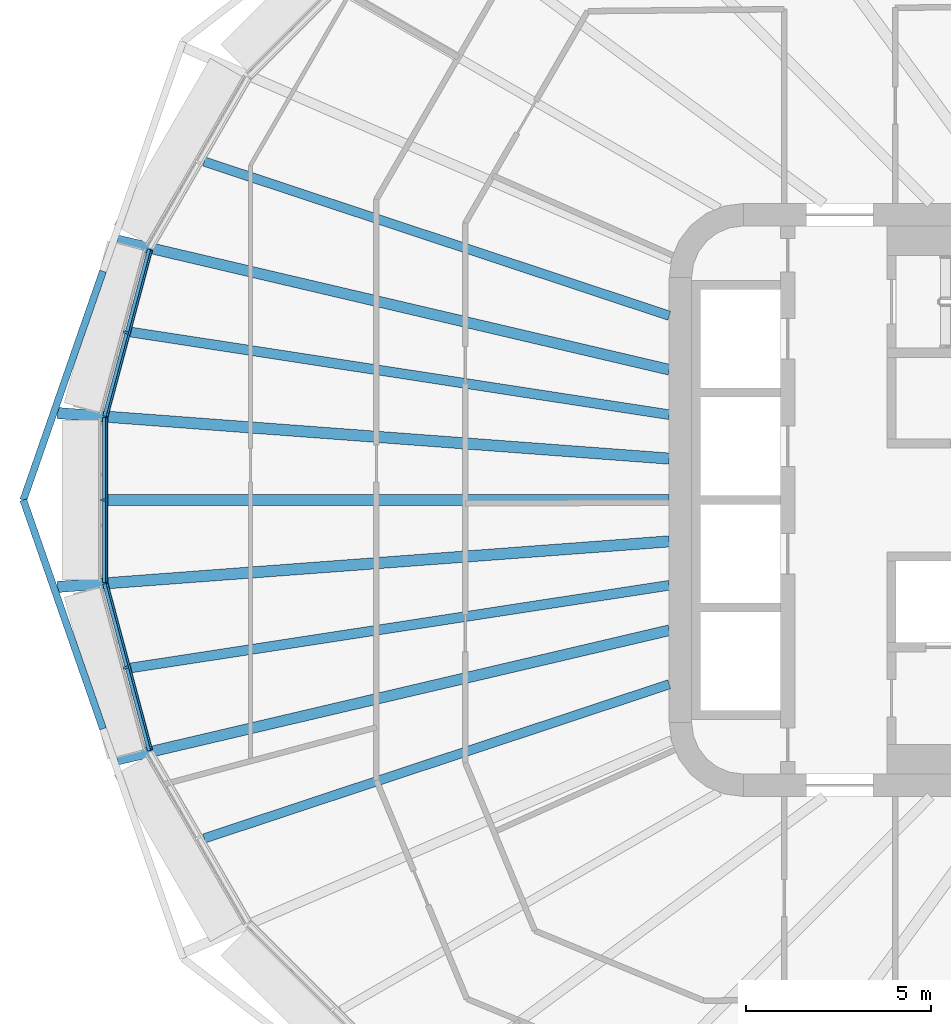
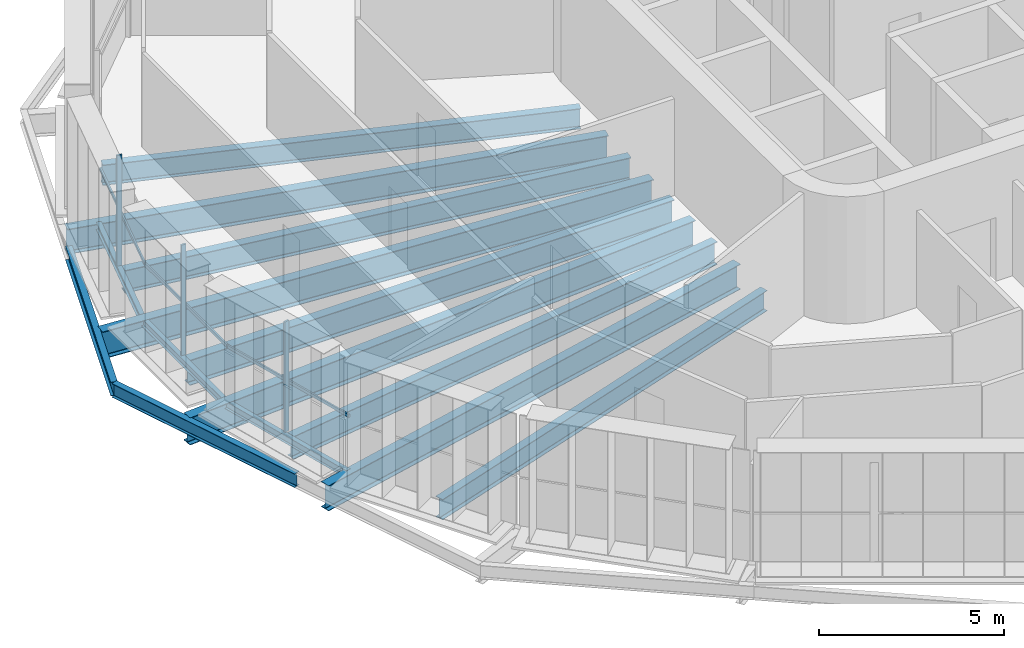
# One storey, part 3 of 22: 14 beams, 6 members, 3 elements without a shape of their own.
"""IFC4 building model written with IfcOpenShell, lengths in metres."""

from ifc_helpers import new_model, si_unit, direction, frame, origin, origin_2d, place, context, subcontext, project, spatial, rectangle, i_section, extrude, material, layer, layer_set, material_profile, profile_set, type_object, element, aggregate, save


model = new_model("IFC4")

# Units and contexts
model_context = context("Model", 3, precision=1e-05, world=origin(), true_north=direction((0.0, 1.0)))
body_context = subcontext(model_context, "Body", "Model", "MODEL_VIEW")
ifc_project = project(units=[si_unit("LENGTHUNIT", "METRE"), si_unit("AREAUNIT", "SQUARE_METRE"), si_unit("VOLUMEUNIT", "CUBIC_METRE"), si_unit("PLANEANGLEUNIT", "RADIAN"), si_unit("MASSUNIT", "GRAM", prefix="KILO")], contexts=[model_context])

# Site, building, storey
site_placement = place(None, origin())
site = spatial("IfcSite", under=ifc_project, at=site_placement, CompositionType="ELEMENT")
building_placement = place(site_placement, origin())
building = spatial("IfcBuilding", under=site, at=building_placement, Name="Sahrelin Media Tower", CompositionType="ELEMENT")
storey_placement = place(building_placement, frame((0.0, 0.0, 50.39990234375)))
storey = spatial("IfcBuildingStorey", under=building, at=storey_placement, Name="L07", CompositionType="ELEMENT", Elevation=50.39990234375)

# Beams
ifc_material_1 = material(Name="Steel S355", Category="steel")
ifc_material_profile_1 = material_profile(ifc_material_1, i_section(OverallWidth=0.14599609375, OverallDepth=0.25146484375, WebThickness=0.006103515625, FlangeThickness=0.008544921875, FilletRadius=0.007568359375, at=origin_2d()), Name="UB 254x146x31")
ifc_profile_set_1 = profile_set([ifc_material_profile_1], Name="Steel S355")
beam_type_1 = type_object("IfcBeamType", Name="Edge beam EB1", PredefinedType="BEAM", material=ifc_profile_set_1)
beam_1_placement = place(storey_placement, frame((-29.007080078125, -6.7587890625, -0.275634765625), z_axis=(-0.258754408816, 0.965943143212, 0.0), x_axis=(-0.965943143212, -0.258754408816, 0.0)))
element("IfcBeam", 1, at=beam_1_placement, inside=storey, type_object=beam_type_1, Name="Edge beam L07-12", PredefinedType="BEAM", context=body_context, shape_type="SweptSolid", body=[
    extrude(i_section(OverallWidth=0.14599609375, OverallDepth=0.25146484375, WebThickness=0.006103515625, FlangeThickness=0.008544921875, FilletRadius=0.007568359375, at=origin_2d()), origin(), (0.0, 0.0, 1.0), 4.661865234375),
])
beam_2_placement = place(storey_placement, frame((-30.21728515625, -2.226806640625, -0.275634765625), z_axis=(0.0, 1.0, 0.0), x_axis=(-1.0, 0.0, 0.0)))
element("IfcBeam", 2, at=beam_2_placement, inside=storey, type_object=beam_type_1, Name="Edge beam L07-13", PredefinedType="BEAM", context=body_context, shape_type="SweptSolid", body=[
    extrude(i_section(OverallWidth=0.14599609375, OverallDepth=0.25146484375, WebThickness=0.006103515625, FlangeThickness=0.008544921875, FilletRadius=0.007568359375, at=origin_2d()), origin(), (0.0, 0.0, 1.0), 4.45361328125),
])
beam_3_placement = place(storey_placement, frame((-30.21337890625, 2.255615234375, -0.275634765625), z_axis=(0.258754408816, 0.965943143212, 0.0), x_axis=(-0.965943143212, 0.258754408816, 0.0)))
element("IfcBeam", 3, at=beam_3_placement, inside=storey, type_object=beam_type_1, Name="Edge beam L07-14", PredefinedType="BEAM", context=body_context, shape_type="SweptSolid", body=[
    extrude(i_section(OverallWidth=0.14599609375, OverallDepth=0.25146484375, WebThickness=0.006103515625, FlangeThickness=0.008544921875, FilletRadius=0.007568359375, at=origin_2d()), origin(), (0.0, 0.0, 1.0), 4.661865234375),
])

# Curtain wall, member
ifc_material_2 = material(Name="Champagne anodised aluminium 6063-T6", Category="aluminium")
ifc_layer = layer(ifc_material_2, 0.14990234375)
ifc_layer_set = layer_set([ifc_layer], Name="Tower ribbon curtain wall")
curtain_wall_type = type_object("IfcCurtainWallType", Name="Tower ribbon curtain wall", PredefinedType="NOTDEFINED", material=ifc_layer_set)
curtain_wall_1_placement = place(storey_placement, frame((-29.755126953125, 4.5458984375, 0.0), z_axis=(0.0, 0.0, 1.0), x_axis=(1.0, 0.0, 0.0)))
curtain_wall_1 = element("IfcCurtainWall", 4, at=curtain_wall_1_placement, inside=storey, type_object=curtain_wall_type, Name="L07:CW:L07-11", PredefinedType="NOTDEFINED")
ifc_material_profile_2 = material_profile(ifc_material_2, rectangle(XDim=0.06005859375, YDim=0.14990234375, at=origin_2d()), Name="Mullion 60x150")
ifc_profile_set_2 = profile_set([ifc_material_profile_2], Name="Champagne anodised aluminium 6063-T6")
member_type_1 = type_object("IfcMemberType", Name="Mullion 60x150 CW1", PredefinedType="MULLION", material=ifc_profile_set_2)
member_1_placement = place(storey_placement, frame((-29.663330078125, 4.521240234375, 0.0), z_axis=(0.0, 0.0, 1.0), x_axis=(-0.258805558208, -0.965929439991, 0.0)))
member_1 = element("IfcMember", 5, at=member_1_placement, type_object=member_type_1, Name="L07:CWM:L07-11", PredefinedType="MULLION", context=body_context, shape_type="SweptSolid", body=[
    extrude(rectangle(XDim=0.06005859375, YDim=0.14990234375, at=origin_2d()), origin(), (0.0, 0.0, 1.0), 3.648681640625),
])

curtain_wall_2_placement = place(storey_placement, frame((-30.3671875, 0.0, 0.0), z_axis=(0.0, 0.0, 1.0), x_axis=(1.0, 0.0, 0.0)))
curtain_wall_2 = element("IfcCurtainWall", 6, at=curtain_wall_2_placement, inside=storey, type_object=curtain_wall_type, Name="L07:CW:L07-12", PredefinedType="NOTDEFINED")
member_2_placement = place(storey_placement, frame((-30.272216796875, 0.0, 0.0), z_axis=(0.0, 0.0, 1.0), x_axis=(0.0, -1.0, 0.0)))
member_2 = element("IfcMember", 7, at=member_2_placement, type_object=member_type_1, Name="L07:CWM:L07-12", PredefinedType="MULLION", context=body_context, shape_type="SweptSolid", body=[
    extrude(rectangle(XDim=0.06005859375, YDim=0.14990234375, at=origin_2d()), origin(), (0.0, 0.0, 1.0), 3.648681640625),
])

curtain_wall_3_placement = place(storey_placement, frame((-29.755126953125, -4.5458984375, 0.0), z_axis=(0.0, 0.0, 1.0), x_axis=(1.0, 0.0, 0.0)))
curtain_wall_3 = element("IfcCurtainWall", 8, at=curtain_wall_3_placement, inside=storey, type_object=curtain_wall_type, Name="L07:CW:L07-13", PredefinedType="NOTDEFINED")
member_3_placement = place(storey_placement, frame((-29.663330078125, -4.521240234375, 0.0), z_axis=(0.0, 0.0, 1.0), x_axis=(0.258805558208, -0.965929439991, 0.0)))
member_3 = element("IfcMember", 9, at=member_3_placement, type_object=member_type_1, Name="L07:CWM:L07-13", PredefinedType="MULLION", context=body_context, shape_type="SweptSolid", body=[
    extrude(rectangle(XDim=0.06005859375, YDim=0.14990234375, at=origin_2d()), origin(), (0.0, 0.0, 1.0), 3.648681640625),
])

# Beams
ifc_material_profile_3 = material_profile(ifc_material_1, i_section(OverallWidth=0.291748046875, OverallDepth=0.8349609375, WebThickness=0.013916015625, FlangeThickness=0.018798828125, FilletRadius=0.017822265625, at=origin_2d()), Name="UB 838x292x176")
ifc_profile_set_3 = profile_set([ifc_material_profile_3], Name="Steel S355")
beam_type_2 = type_object("IfcBeamType", Name="Radial primary beam PB10", PredefinedType="BEAM", material=ifc_profile_set_3)
for number, where, z_axis, x_axis, name in (
    (10, (-15.0, 3.515625, -0.5673828125), (-0.973611543966, 0.228211659333, 0.0), (-0.228211659333, -0.973611543966, 0.0), "Radial beam L07-11"),
    (11, (-15.0, -3.515625, -0.5673828125), (-0.973611543966, -0.228211659333, 0.0), (0.228211659333, -0.973611543966, 0.0), "Radial beam L07-14"),
):
    element("IfcBeam", number, at=place(storey_placement, frame(where, z_axis=z_axis, x_axis=x_axis)), inside=storey, type_object=beam_type_2, Name=name, PredefinedType="BEAM", context=body_context, shape_type="SweptSolid", body=[
        extrude(i_section(OverallWidth=0.291748046875, OverallDepth=0.8349609375, WebThickness=0.013916015625, FlangeThickness=0.018798828125, FilletRadius=0.017822265625, at=origin_2d()), origin(), (0.0, 0.0, 1.0), 15.291748046875),
    ])
ifc_material_profile_4 = material_profile(ifc_material_1, i_section(OverallWidth=0.30322265625, OverallDepth=0.903076171875, WebThickness=0.01513671875, FlangeThickness=0.020263671875, FilletRadius=0.01904296875, at=origin_2d()), Name="UB 914x305x201")
ifc_profile_set_4 = profile_set([ifc_material_profile_4], Name="Steel S355")
beam_type_3 = type_object("IfcBeamType", Name="Radial primary beam PB11", PredefinedType="BEAM", material=ifc_profile_set_4)
for number, where, z_axis, x_axis, name in (
    (12, (-15.0, 1.116943359375, -0.601318359375), (-0.997239800051, 0.074248105658, 0.0), (-0.074248105658, -0.997239800051, 0.0), "Radial beam L07-12"),
    (13, (-15.0, -1.116943359375, -0.601318359375), (-0.997239800051, -0.074248105658, 0.0), (0.074248105658, -0.997239800051, 0.0), "Radial beam L07-13"),
):
    element("IfcBeam", number, at=place(storey_placement, frame(where, z_axis=z_axis, x_axis=x_axis)), inside=storey, type_object=beam_type_3, Name=name, PredefinedType="BEAM", context=body_context, shape_type="SweptSolid", body=[
        extrude(i_section(OverallWidth=0.30322265625, OverallDepth=0.903076171875, WebThickness=0.01513671875, FlangeThickness=0.020263671875, FilletRadius=0.01904296875, at=origin_2d()), origin(), (0.0, 0.0, 1.0), 16.555908203125),
    ])
ifc_material_profile_5 = material_profile(ifc_material_1, i_section(OverallWidth=0.291748046875, OverallDepth=0.8349609375, WebThickness=0.013916015625, FlangeThickness=0.018798828125, FilletRadius=0.017822265625, at=origin_2d()), Name="UB 838x292x176")
ifc_profile_set_5 = profile_set([ifc_material_profile_5], Name="Steel S355")
beam_type_4 = type_object("IfcBeamType", Name="Radial secondary beam SB10", PredefinedType="BEAM", material=ifc_profile_set_5)
beam_4_placement = place(storey_placement, frame((-15.0, 0.0, -0.5673828125), z_axis=(-1.0, 0.0, 0.0), x_axis=(0.0, -1.0, 0.0)))
element("IfcBeam", 14, at=beam_4_placement, inside=storey, type_object=beam_type_4, Name="Secondary beam L07-12", PredefinedType="BEAM", context=body_context, shape_type="SweptSolid", body=[
    extrude(i_section(OverallWidth=0.291748046875, OverallDepth=0.8349609375, WebThickness=0.013916015625, FlangeThickness=0.018798828125, FilletRadius=0.017822265625, at=origin_2d()), origin(), (0.0, 0.0, 1.0), 15.144287109375),
])
ifc_material_profile_6 = material_profile(ifc_material_1, i_section(OverallWidth=0.2529296875, OverallDepth=0.677978515625, WebThickness=0.01171875, FlangeThickness=0.01611328125, FilletRadius=0.01513671875, at=origin_2d()), Name="UB 686x254x125")
ifc_profile_set_6 = profile_set([ifc_material_profile_6], Name="Steel S355")
beam_type_5 = type_object("IfcBeamType", Name="Radial secondary beam SB8", PredefinedType="BEAM", material=ifc_profile_set_6)
for number, where, z_axis, x_axis, name in (
    (15, (-15.0, 4.972412109375, -0.48876953125), (-0.949201052474, 0.314670243242, 0.0), (-0.314670243242, -0.949201052474, 0.0), "Secondary beam L07-10"),
    (16, (-15.0, -4.972412109375, -0.48876953125), (-0.949201052474, -0.314670243242, 0.0), (0.314670243242, -0.949201052474, 0.0), "Secondary beam L07-14"),
):
    element("IfcBeam", number, at=place(storey_placement, frame(where, z_axis=z_axis, x_axis=x_axis)), inside=storey, type_object=beam_type_5, Name=name, PredefinedType="BEAM", context=body_context, shape_type="SweptSolid", body=[
        extrude(i_section(OverallWidth=0.2529296875, OverallDepth=0.677978515625, WebThickness=0.01171875, FlangeThickness=0.01611328125, FilletRadius=0.01513671875, at=origin_2d()), origin(), (0.0, 0.0, 1.0), 13.217529296875),
    ])
ifc_material_profile_7 = material_profile(ifc_material_1, i_section(OverallWidth=0.26513671875, OverallDepth=0.75390625, WebThickness=0.0126953125, FlangeThickness=0.017578125, FilletRadius=0.0166015625, at=origin_2d()), Name="UB 762x267x147")
ifc_profile_set_7 = profile_set([ifc_material_profile_7], Name="Steel S355")
beam_type_6 = type_object("IfcBeamType", Name="Radial secondary beam SB9", PredefinedType="BEAM", material=ifc_profile_set_7)
for number, where, z_axis, x_axis, name in (
    (17, (-15.0, 2.302001953125, -0.52685546875), (-0.988428851569, 0.151685218084, 0.0), (-0.151685218084, -0.988428851569, 0.0), "Secondary beam L07-11"),
    (18, (-15.0, -2.302001953125, -0.52685546875), (-0.988428851569, -0.151685218084, 0.0), (0.151685218084, -0.988428851569, 0.0), "Secondary beam L07-13"),
):
    element("IfcBeam", number, at=place(storey_placement, frame(where, z_axis=z_axis, x_axis=x_axis)), inside=storey, type_object=beam_type_6, Name=name, PredefinedType="BEAM", context=body_context, shape_type="SweptSolid", body=[
        extrude(i_section(OverallWidth=0.26513671875, OverallDepth=0.75390625, WebThickness=0.0126953125, FlangeThickness=0.017578125, FilletRadius=0.0166015625, at=origin_2d()), origin(), (0.0, 0.0, 1.0), 14.6982421875),
    ])
ifc_material_profile_8 = material_profile(ifc_material_1, i_section(OverallWidth=0.1904296875, OverallDepth=0.45703125, WebThickness=0.009033203125, FlangeThickness=0.014404296875, FilletRadius=0.01025390625, at=origin_2d()), Name="UB 457x191x74")
ifc_profile_set_8 = profile_set([ifc_material_profile_8], Name="Steel S355")
beam_type_7 = type_object("IfcBeamType", Name="Tie chord TC5", PredefinedType="BEAM", material=ifc_profile_set_8)
for number, where, z_axis, x_axis, name in (
    (19, (-30.27880859375, -6.17236328125, -0.37841796875), (-0.328829204922, 0.944389408025, 0.0), (-0.944389408025, -0.328829204922, 0.0), "Tie chord L07-12"),
    (20, (-32.427978515625, 0.0, -0.37841796875), (0.328829204922, 0.944389408025, 0.0), (-0.944389408025, 0.328829204922, 0.0), "Tie chord L07-13"),
):
    element("IfcBeam", number, at=place(storey_placement, frame(where, z_axis=z_axis, x_axis=x_axis)), inside=storey, type_object=beam_type_7, Name=name, PredefinedType="BEAM", context=body_context, shape_type="SweptSolid", body=[
        extrude(i_section(OverallWidth=0.1904296875, OverallDepth=0.45703125, WebThickness=0.009033203125, FlangeThickness=0.014404296875, FilletRadius=0.01025390625, at=origin_2d()), origin(), (0.0, 0.0, 1.0), 6.535888671875),
    ])

# Member
ifc_material_profile_9 = material_profile(ifc_material_2, rectangle(XDim=0.050048828125, YDim=0.10009765625, at=origin_2d()), Name="Transom 50x100")
ifc_profile_set_9 = profile_set([ifc_material_profile_9], Name="Champagne anodised aluminium 6063-T6")
member_type_2 = type_object("IfcMemberType", Name="Transom 50x100 CW1", PredefinedType="USERDEFINED", material=ifc_profile_set_9)
member_4_placement = place(storey_placement, frame((-28.967529296875, 6.731689453125, 1.60009765625), z_axis=(-0.258827447024, -0.965923574962, 0.0), x_axis=(0.965923574962, -0.258827447024, 0.0)))
member_4 = element("IfcMember", 21, at=member_4_placement, type_object=member_type_2, Name="L07:CWT:L07-11", ObjectType="TRANSOM", PredefinedType="USERDEFINED", context=body_context, shape_type="SweptSolid", body=[
    extrude(rectangle(XDim=0.050048828125, YDim=0.10009765625, at=origin_2d()), origin(), (0.0, 0.0, 1.0), 4.63037109375),
])

aggregate(curtain_wall_1, [member_1, member_4])

member_5_placement = place(storey_placement, frame((-30.17236328125, 2.211181640625, 1.60009765625), z_axis=(0.0, -1.0, 0.0), x_axis=(1.0, 0.0, 0.0)))
member_5 = element("IfcMember", 22, at=member_5_placement, type_object=member_type_2, Name="L07:CWT:L07-12", ObjectType="TRANSOM", PredefinedType="USERDEFINED", context=body_context, shape_type="SweptSolid", body=[
    extrude(rectangle(XDim=0.050048828125, YDim=0.10009765625, at=origin_2d()), origin(), (0.0, 0.0, 1.0), 4.42236328125),
])

aggregate(curtain_wall_2, [member_2, member_5])

member_6_placement = place(storey_placement, frame((-30.166015625, -2.259033203125, 1.60009765625), z_axis=(0.258827447024, -0.965923574962, 0.0), x_axis=(0.965923574962, 0.258827447024, 0.0)))
member_6 = element("IfcMember", 23, at=member_6_placement, type_object=member_type_2, Name="L07:CWT:L07-13", ObjectType="TRANSOM", PredefinedType="USERDEFINED", context=body_context, shape_type="SweptSolid", body=[
    extrude(rectangle(XDim=0.050048828125, YDim=0.10009765625, at=origin_2d()), origin(), (0.0, 0.0, 1.0), 4.63037109375),
])

aggregate(curtain_wall_3, [member_3, member_6])

save(model, "model.ifc")
